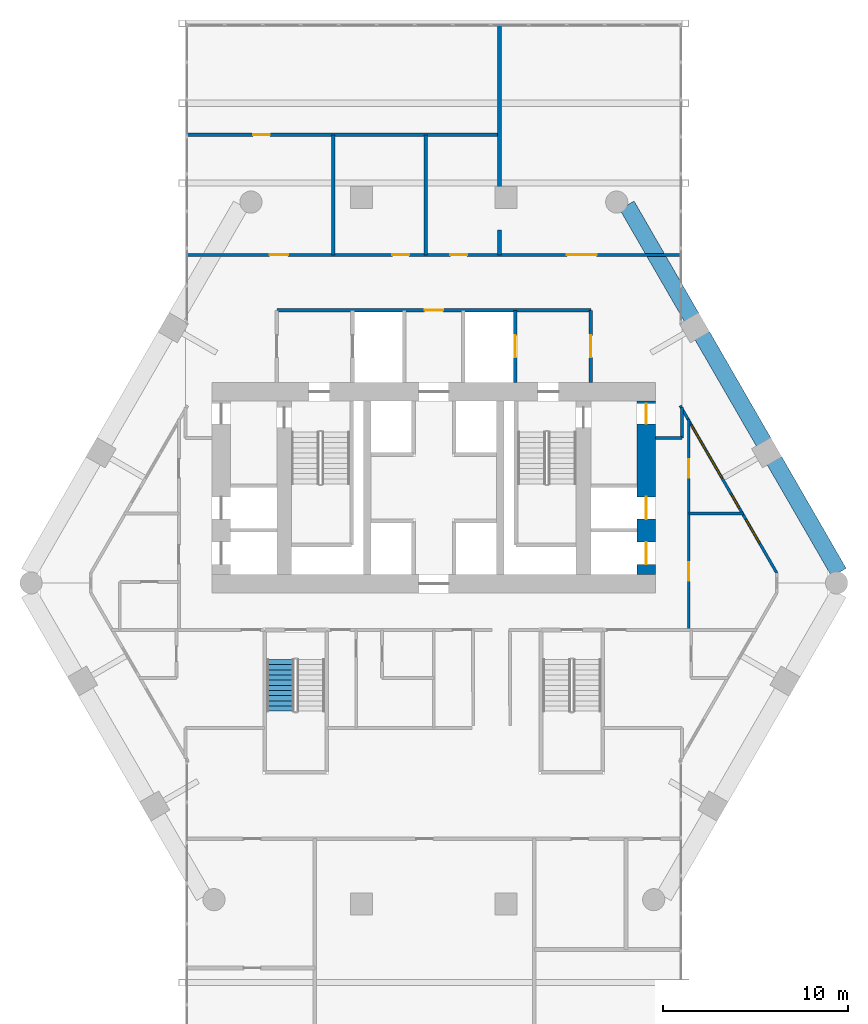
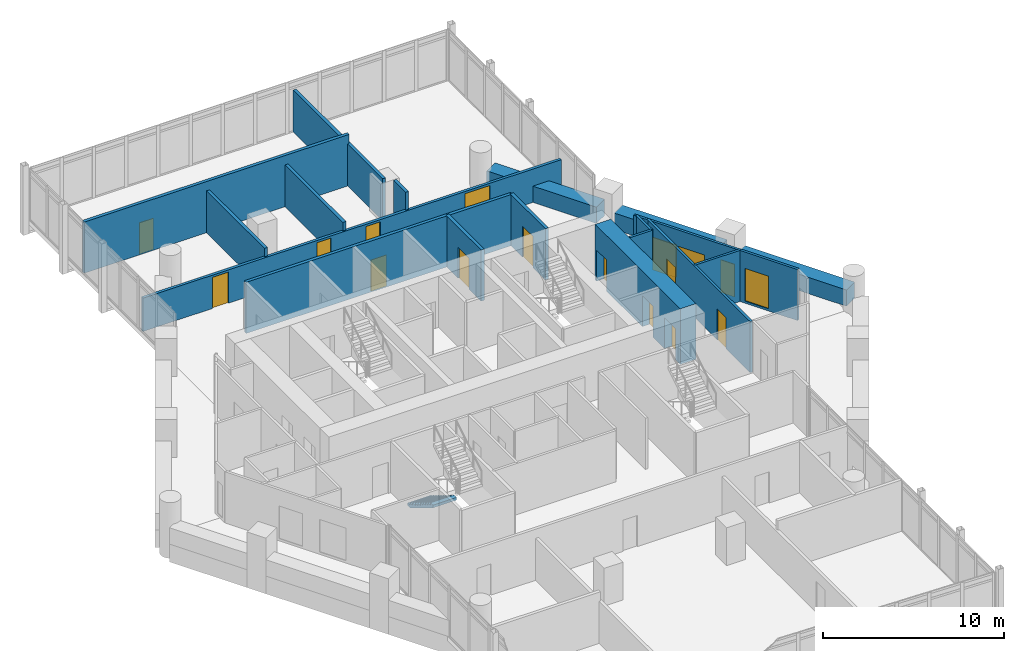
# One storey, part 26 of 28: 18 walls, 13 doors, 4 windows, 1 stair flight, 17 openings, 1 element without a shape of its own.
"""IFC4 building model written with IfcOpenShell, lengths in metres."""

from ifc_helpers import new_model, si_unit, direction, frame, frame_2d, origin, place, context, subcontext, project, spatial, polyline, rectangle, outline, extrude, material, layer, layer_set, type_object, element, fill, aggregate, save


model = new_model("IFC4")

# Units and contexts
model_context = context("Model", 3, precision=1e-05, world=origin(), true_north=direction((0.0, 1.0)))
body_context = subcontext(model_context, "Body", "Model", "MODEL_VIEW")
ifc_project = project(units=[si_unit("LENGTHUNIT", "METRE"), si_unit("AREAUNIT", "SQUARE_METRE"), si_unit("VOLUMEUNIT", "CUBIC_METRE"), si_unit("PLANEANGLEUNIT", "RADIAN"), si_unit("MASSUNIT", "GRAM", prefix="KILO")], contexts=[model_context])

# Site, building, storey
site_placement = place(None, origin())
site = spatial("IfcSite", under=ifc_project, at=site_placement, CompositionType="ELEMENT")
building_placement = place(site_placement, origin())
building = spatial("IfcBuilding", under=site, at=building_placement, Name="Ostrander Bayou Hotel Tower", CompositionType="ELEMENT")
storey_placement = place(building_placement, frame((0.0, 0.0, 142.25)))
storey = spatial("IfcBuildingStorey", under=building, at=storey_placement, Name="L35", CompositionType="ELEMENT", Elevation=142.25)

# Wall, openings, doors
ifc_material_1 = material(Name="Concrete f'c 70 MPa", Category="concrete")
ifc_layer_1 = layer(ifc_material_1, 1.0)
ifc_layer_set_1 = layer_set([ifc_layer_1], Name="CW4 core wall 1000 mm f'c 70 MPa")
wall_type_1 = type_object("IfcWallType", Name="CW4 core wall 1000 mm f'c 70 MPa", PredefinedType="SHEAR", material=ifc_layer_set_1)
wall_1_placement = place(storey_placement, frame((11.5, -0.699951171875, -0.300048828125), z_axis=(0.0, 0.0, 1.0), x_axis=(0.0, 1.0, 0.0)))
wall_1 = element("IfcWall", 1, at=wall_1_placement, inside=storey, type_object=wall_type_1, Name="CW4 L35 RE", PredefinedType="SHEAR", context=body_context, shape_type="SweptSolid", body=[
    extrude(rectangle(XDim=9.39990234375, YDim=1.0, at=frame_2d((4.699951171875, 0.0))), origin(), (0.0, 0.0, 1.0), 3.75),
])
opening_1_placement = place(wall_1_placement, frame((8.14990234375, 0.0, 0.0)))
opening_1 = element("IfcOpeningElement", 2, at=opening_1_placement, cuts=wall_1, Name="Opening T34-017", PredefinedType="OPENING", context=body_context, shape_type="SweptSolid", body=[
    extrude(rectangle(XDim=1.10009765625, YDim=2.10009765625, at=frame_2d((0.550048828125, 1.050048828125))), frame((0.0, 0.5, 0.0), z_axis=(0.0, -1.0, 0.0), x_axis=(1.0, 0.0, 0.0)), (0.0, 0.0, 1.0), 1.0),
])
opening_2_placement = place(wall_1_placement, frame((0.550048828125, 0.0, 0.0)))
opening_2 = element("IfcOpeningElement", 3, at=opening_2_placement, cuts=wall_1, Name="Opening T34-018", PredefinedType="OPENING", context=body_context, shape_type="SweptSolid", body=[
    extrude(rectangle(XDim=1.199951171875, YDim=2.10009765625, at=frame_2d((0.60009765625, 1.050048828125))), frame((0.0, 0.5, 0.0), z_axis=(0.0, -1.0, 0.0), x_axis=(1.0, 0.0, 0.0)), (0.0, 0.0, 1.0), 1.0),
])
opening_3_placement = place(wall_1_placement, frame((3.0, 0.0, 0.0)))
opening_3 = element("IfcOpeningElement", 4, at=opening_3_placement, cuts=wall_1, Name="Opening T34-019", PredefinedType="OPENING", context=body_context, shape_type="SweptSolid", body=[
    extrude(rectangle(XDim=1.199951171875, YDim=2.10009765625, at=frame_2d((0.60009765625, 1.050048828125))), frame((0.0, 0.5, 0.0), z_axis=(0.0, -1.0, 0.0), x_axis=(1.0, 0.0, 0.0)), (0.0, 0.0, 1.0), 1.0),
])
ifc_material_2 = material(Name="Timber door leaf", Category="wood")
door_type_1 = type_object("IfcDoorType", Name="D5 stair door 1100 x 2100 mm, 90 minute", OperationType="SINGLE_SWING_LEFT", PredefinedType="DOOR", material=ifc_material_2)
door_1_placement = place(opening_1_placement, origin())
door_1 = element("IfcDoor", 5, at=door_1_placement, inside=storey, type_object=door_type_1, Name="dr:L35:017", OperationType="SINGLE_SWING_RIGHT", OverallHeight=2.10009765625, OverallWidth=1.10009765625, PredefinedType="DOOR", context=body_context, shape_type="SweptSolid", body=[
    extrude(rectangle(XDim=1.10009765625, YDim=2.10009765625, at=frame_2d((0.550048828125, 1.050048828125))), frame((0.0, 0.02490234375, 0.0), z_axis=(0.0, -1.0, 0.0), x_axis=(1.0, 0.0, 0.0)), (0.0, 0.0, 1.0), 0.050048828125),
])
fill(opening_1, door_1)
ifc_material_3 = material(Name="Stainless steel sliding door", Category="steel")
door_type_2 = type_object("IfcDoorType", Name="LD1 lift landing door 1200 x 2100 mm", OperationType="SINGLE_SWING_LEFT", PredefinedType="DOOR", material=ifc_material_3)
door_2_placement = place(opening_2_placement, origin())
door_2 = element("IfcDoor", 6, at=door_2_placement, inside=storey, type_object=door_type_2, Name="dr:L35:018", OperationType="SLIDING_TO_LEFT", OverallHeight=2.10009765625, OverallWidth=1.199951171875, PredefinedType="DOOR", context=body_context, shape_type="SweptSolid", body=[
    extrude(rectangle(XDim=1.199951171875, YDim=2.10009765625, at=frame_2d((0.60009765625, 1.050048828125))), frame((0.0, 0.02490234375, 0.0), z_axis=(0.0, -1.0, 0.0), x_axis=(1.0, 0.0, 0.0)), (0.0, 0.0, 1.0), 0.050048828125),
])
fill(opening_2, door_2)
door_3_placement = place(opening_3_placement, origin())
door_3 = element("IfcDoor", 7, at=door_3_placement, inside=storey, type_object=door_type_2, Name="dr:L35:019", OperationType="SLIDING_TO_LEFT", OverallHeight=2.10009765625, OverallWidth=1.199951171875, PredefinedType="DOOR", context=body_context, shape_type="SweptSolid", body=[
    extrude(rectangle(XDim=1.199951171875, YDim=2.10009765625, at=frame_2d((0.60009765625, 1.050048828125))), frame((0.0, 0.02490234375, 0.0), z_axis=(0.0, -1.0, 0.0), x_axis=(1.0, 0.0, 0.0)), (0.0, 0.0, 1.0), 0.050048828125),
])
fill(opening_3, door_3)

# Wall, openings, windows
ifc_material_4 = material(Name="Aluminium framed insulated wall", Category="aluminium")
ifc_layer_2 = layer(ifc_material_4, 0.14990234375)
ifc_layer_set_2 = layer_set([ifc_layer_2], Name="GW1 glass-line wall 150 mm")
wall_type_2 = type_object("IfcWallType", Name="GW1 glass-line wall 150 mm", PredefinedType="SOLIDWALL", material=ifc_layer_set_2)
wall_2_placement = place(storey_placement, frame((18.568115234375, -0.6240234375, 0.0), z_axis=(0.0, 0.0, 1.0), x_axis=(-0.499994317138, 0.866028684761, 0.0)))
wall_2 = element("IfcWall", 8, at=wall_2_placement, inside=storey, type_object=wall_type_2, Name="GW1 L35 NE 1", PredefinedType="SOLIDWALL", context=body_context, shape_type="SweptSolid", body=[
    extrude(rectangle(XDim=10.46826171875, YDim=0.14990234375, at=frame_2d((5.234130859375, 0.0))), origin(), (0.0, 0.0, 1.0), 3.449951171875),
])
opening_4_placement = place(wall_2_placement, frame((4.046630859375, 0.0, 0.14990234375)))
opening_4 = element("IfcOpeningElement", 9, at=opening_4_placement, cuts=wall_2, Name="Opening W16", PredefinedType="OPENING", context=body_context, shape_type="SweptSolid", body=[
    extrude(rectangle(XDim=0.89990234375, YDim=2.199951171875, at=frame_2d((0.449951171875, 1.10009765625))), frame((0.0, 0.074951171875, 0.0), z_axis=(0.0, -1.0, 0.0), x_axis=(1.0, 0.0, 0.0)), (0.0, 0.0, 1.0), 0.14990234375),
])
opening_5_placement = place(wall_2_placement, frame((1.8466796875, 0.0, 0.14990234375)))
opening_5 = element("IfcOpeningElement", 10, at=opening_5_placement, cuts=wall_2, Name="Opening W12", PredefinedType="OPENING", context=body_context, shape_type="SweptSolid", body=[
    extrude(rectangle(XDim=1.5, YDim=2.199951171875, at=frame_2d((0.75, 1.10009765625))), frame((0.0, 0.074951171875, 0.0), z_axis=(0.0, -1.0, 0.0), x_axis=(1.0, 0.0, 0.0)), (0.0, 0.0, 1.0), 0.14990234375),
])
opening_6_placement = place(wall_2_placement, frame((5.924560546875, 0.0, 0.14990234375)))
opening_6 = element("IfcOpeningElement", 11, at=opening_6_placement, cuts=wall_2, Name="Opening W8", PredefinedType="OPENING", context=body_context, shape_type="SweptSolid", body=[
    extrude(rectangle(XDim=1.699951171875, YDim=2.199951171875, at=frame_2d((0.85009765625, 1.10009765625))), frame((0.0, 0.074951171875, 0.0), z_axis=(0.0, -1.0, 0.0), x_axis=(1.0, 0.0, 0.0)), (0.0, 0.0, 1.0), 0.14990234375),
])
opening_7_placement = place(wall_2_placement, frame((7.764404296875, 0.0, 0.14990234375)))
opening_7 = element("IfcOpeningElement", 12, at=opening_7_placement, cuts=wall_2, Name="Opening W12", PredefinedType="OPENING", context=body_context, shape_type="SweptSolid", body=[
    extrude(rectangle(XDim=1.5, YDim=2.199951171875, at=frame_2d((0.75, 1.10009765625))), frame((0.0, 0.074951171875, 0.0), z_axis=(0.0, -1.0, 0.0), x_axis=(1.0, 0.0, 0.0)), (0.0, 0.0, 1.0), 0.14990234375),
])
ifc_material_5 = material(Name="Aluminium and clear glass", Category="aluminium")
window_type_1 = type_object("IfcWindowType", Name="W12 fixed window 1500 mm, bath bay, zone 2", PartitioningType="SINGLE_PANEL", PredefinedType="WINDOW", material=ifc_material_5)
window_1_placement = place(opening_5_placement, origin())
window_1 = element("IfcWindow", 13, at=window_1_placement, inside=storey, type_object=window_type_1, Name="W12 L35 NE 1", OverallHeight=2.199951171875, OverallWidth=1.5, PartitioningType="SINGLE_PANEL", PredefinedType="WINDOW", context=body_context, shape_type="SweptSolid", body=[
    extrude(rectangle(XDim=1.5, YDim=2.199951171875, at=frame_2d((0.75, 1.10009765625))), frame((0.0, 0.030029296875, 0.0), z_axis=(0.0, -1.0, 0.0), x_axis=(1.0, 0.0, 0.0)), (0.0, 0.0, 1.0), 0.06005859375),
])
fill(opening_5, window_1)
window_2_placement = place(opening_7_placement, origin())
window_2 = element("IfcWindow", 14, at=window_2_placement, inside=storey, type_object=window_type_1, Name="W12 L35 NE 2", OverallHeight=2.199951171875, OverallWidth=1.5, PartitioningType="SINGLE_PANEL", PredefinedType="WINDOW", context=body_context, shape_type="SweptSolid", body=[
    extrude(rectangle(XDim=1.5, YDim=2.199951171875, at=frame_2d((0.75, 1.10009765625))), frame((0.0, 0.030029296875, 0.0), z_axis=(0.0, -1.0, 0.0), x_axis=(1.0, 0.0, 0.0)), (0.0, 0.0, 1.0), 0.06005859375),
])
fill(opening_7, window_2)
ifc_material_6 = material(Name="Aluminium and clear glass", Category="aluminium")
window_type_2 = type_object("IfcWindowType", Name="W16 window 900 mm, zone 2", PartitioningType="SINGLE_PANEL", PredefinedType="WINDOW", material=ifc_material_6)
window_3_placement = place(opening_4_placement, origin())
window_3 = element("IfcWindow", 15, at=window_3_placement, inside=storey, type_object=window_type_2, Name="W16 L35 NE 1", OverallHeight=2.199951171875, OverallWidth=0.89990234375, PartitioningType="SINGLE_PANEL", PredefinedType="WINDOW", context=body_context, shape_type="SweptSolid", body=[
    extrude(rectangle(XDim=0.89990234375, YDim=2.199951171875, at=frame_2d((0.449951171875, 1.10009765625))), frame((0.0, 0.030029296875, 0.0), z_axis=(0.0, -1.0, 0.0), x_axis=(1.0, 0.0, 0.0)), (0.0, 0.0, 1.0), 0.06005859375),
])
fill(opening_4, window_3)
ifc_material_7 = material(Name="Aluminium and clear glass", Category="aluminium")
window_type_3 = type_object("IfcWindowType", Name="W8 fixed window 1700 mm, bar storeys, zone 2", PartitioningType="SINGLE_PANEL", PredefinedType="WINDOW", material=ifc_material_7)
window_4_placement = place(opening_6_placement, origin())
window_4 = element("IfcWindow", 16, at=window_4_placement, inside=storey, type_object=window_type_3, Name="W8 L35 NE 2", OverallHeight=2.199951171875, OverallWidth=1.699951171875, PartitioningType="SINGLE_PANEL", PredefinedType="WINDOW", context=body_context, shape_type="SweptSolid", body=[
    extrude(rectangle(XDim=1.699951171875, YDim=2.199951171875, at=frame_2d((0.85009765625, 1.10009765625))), frame((0.0, 0.030029296875, 0.0), z_axis=(0.0, -1.0, 0.0), x_axis=(1.0, 0.0, 0.0)), (0.0, 0.0, 1.0), 0.06005859375),
])
fill(opening_6, window_4)

# Walls
ifc_material_8 = material(Name="Concrete f'c 40 MPa", Category="concrete")
ifc_layer_3 = layer(ifc_material_8, 0.89990234375)
ifc_layer_set_3 = layer_set([ifc_layer_3], Name="PA1 stone-faced parapet 900 mm")
wall_type_3 = type_object("IfcWallType", Name="PA1 stone-faced parapet 900 mm", PredefinedType="PARAPET", material=ifc_layer_set_3)
wall_3_placement = place(storey_placement, frame((21.927734375, -0.593017578125, 0.0), z_axis=(0.0, 0.0, 1.0), x_axis=(-0.499991127072, 0.866030526511, 0.0)))
element("IfcWall", 17, at=wall_3_placement, inside=storey, type_object=wall_type_3, Name="PA1 L35 NE-1", PredefinedType="PARAPET", context=body_context, shape_type="SweptSolid", body=[
    extrude(rectangle(XDim=7.000732421875, YDim=0.89990234375, at=frame_2d((3.50048828125, 0.0))), origin(), (0.0, 0.0, 1.0), 1.10009765625),
])
wall_4_placement = place(storey_placement, frame((17.857421875, 6.45703125, 0.0), z_axis=(0.0, 0.0, 1.0), x_axis=(-0.499983182885, 0.866035112932, 0.0)))
element("IfcWall", 18, at=wall_4_placement, inside=storey, type_object=wall_type_3, Name="PA1 L35 NE-2", PredefinedType="PARAPET", context=body_context, shape_type="SweptSolid", body=[
    extrude(rectangle(XDim=6.673583984375, YDim=0.89990234375, at=frame_2d((3.3369140625, 0.0))), origin(), (0.0, 0.0, 1.0), 1.10009765625),
])
wall_5_placement = place(storey_placement, frame((13.95068359375, 13.2236328125, 0.0), z_axis=(0.0, 0.0, 1.0), x_axis=(-0.499991127072, 0.866030526511, 0.0)))
element("IfcWall", 19, at=wall_5_placement, inside=storey, type_object=wall_type_3, Name="PA1 L35 NE-3", PredefinedType="PARAPET", context=body_context, shape_type="SweptSolid", body=[
    extrude(rectangle(XDim=7.000732421875, YDim=0.89990234375, at=frame_2d((3.50048828125, 0.0))), origin(), (0.0, 0.0, 1.0), 1.10009765625),
])

# Wall, opening, door
ifc_material_9 = material(Name="Gypsum board partition", Category="finish")
ifc_layer_4 = layer(ifc_material_9, 0.199951171875)
ifc_layer_set_4 = layer_set([ifc_layer_4], Name="PT3 demising wall 200 mm acoustic double stud, 1 hour")
wall_type_4 = type_object("IfcWallType", Name="PT3 demising wall 200 mm acoustic double stud, 1 hour", PredefinedType="PARTITIONING", material=ifc_layer_set_4)
wall_6_placement = place(storey_placement, frame((-13.34814453125, 23.10009765625, 0.0), z_axis=(0.0, 0.0, 1.0), x_axis=(1.0, 0.0, 0.0)))
wall_6 = element("IfcWall", 20, at=wall_6_placement, inside=storey, type_object=wall_type_4, Name="sw:L35:504", PredefinedType="PARTITIONING", context=body_context, shape_type="SweptSolid", body=[
    extrude(rectangle(XDim=16.906005859375, YDim=0.199951171875, at=frame_2d((8.453125, 0.0))), origin(), (0.0, 0.0, 1.0), 3.449951171875),
])
opening_8_placement = place(wall_6_placement, frame((3.571044921875, 0.0, 0.0)))
opening_8 = element("IfcOpeningElement", 21, at=opening_8_placement, cuts=wall_6, Name="Opening T34-1210", PredefinedType="OPENING", context=body_context, shape_type="SweptSolid", body=[
    extrude(rectangle(XDim=0.89990234375, YDim=2.10009765625, at=frame_2d((0.449951171875, 1.050048828125))), frame((0.0, 0.10009765625, 0.0), z_axis=(0.0, -1.0, 0.0), x_axis=(1.0, 0.0, 0.0)), (0.0, 0.0, 1.0), 0.199951171875),
])
ifc_material_10 = material(Name="Timber door leaf", Category="wood")
door_type_3 = type_object("IfcDoorType", Name="D8 room door 900 x 2100 mm", OperationType="SINGLE_SWING_LEFT", PredefinedType="DOOR", material=ifc_material_10)
door_4_placement = place(opening_8_placement, origin())
door_4 = element("IfcDoor", 22, at=door_4_placement, inside=storey, type_object=door_type_3, Name="dr:L35:1210", OperationType="SINGLE_SWING_RIGHT", OverallHeight=2.10009765625, OverallWidth=0.89990234375, PredefinedType="DOOR", context=body_context, shape_type="SweptSolid", body=[
    extrude(rectangle(XDim=0.89990234375, YDim=2.10009765625, at=frame_2d((0.449951171875, 1.050048828125))), frame((0.0, 0.02490234375, 0.0), z_axis=(0.0, -1.0, 0.0), x_axis=(1.0, 0.0, 0.0)), (0.0, 0.0, 1.0), 0.050048828125),
])
fill(opening_8, door_4)

# Walls
for number, where, z_axis, x_axis, name in (
    (23, (-5.44189453125, 16.60009765625, 0.0), (0.0, 0.0, 1.0), (0.0, 1.0, 0.0), "sw:L35:506"),
    (24, (-0.44189453125, 16.60009765625, 0.0), (0.0, 0.0, 1.0), (0.0, 1.0, 0.0), "sw:L35:507"),
):
    element("IfcWall", number, at=place(storey_placement, frame(where, z_axis=z_axis, x_axis=x_axis)), inside=storey, type_object=wall_type_4, Name=name, PredefinedType="PARTITIONING", context=body_context, shape_type="SweptSolid", body=[
        extrude(rectangle(XDim=6.5, YDim=0.199951171875, at=frame_2d((3.25, 0.0))), origin(), (0.0, 0.0, 1.0), 2.828125),
    ])
wall_7_placement = place(storey_placement, frame((3.55810546875, 16.60009765625, 0.0), z_axis=(0.0, 0.0, 1.0), x_axis=(0.0, 1.0, 0.0)))
element("IfcWall", 25, at=wall_7_placement, inside=storey, type_object=wall_type_4, Name="sw:L35:508", PredefinedType="PARTITIONING", context=body_context, shape_type="SweptSolid", body=[
    extrude(rectangle(XDim=1.347900390625, YDim=0.199951171875, at=frame_2d((0.673828125, 0.0))), origin(), (0.0, 0.0, 1.0), 3.449951171875),
])
wall_8_placement = place(storey_placement, frame((3.55810546875, 19.13916015625, 0.0), z_axis=(0.0, 0.0, 1.0), x_axis=(0.0, 1.0, 0.0)))
element("IfcWall", 26, at=wall_8_placement, inside=storey, type_object=wall_type_4, Name="sw:L35:509", PredefinedType="PARTITIONING", context=body_context, shape_type="SweptSolid", body=[
    extrude(rectangle(XDim=9.87890625, YDim=0.199951171875, at=frame_2d((4.939453125, 0.0))), origin(), (0.0, 0.0, 1.0), 2.828125),
])

# Wall, openings, doors
ifc_material_11 = material(Name="Gypsum board partition", Category="finish")
ifc_layer_5 = layer(ifc_material_11, 0.175048828125)
ifc_layer_set_5 = layer_set([ifc_layer_5], Name="PT4 corridor wall 175 mm, 1 hour")
wall_type_5 = type_object("IfcWallType", Name="PT4 corridor wall 175 mm, 1 hour", PredefinedType="PARTITIONING", material=ifc_layer_set_5)
wall_9_placement = place(storey_placement, frame((-13.34814453125, 16.60009765625, 0.0), z_axis=(0.0, 0.0, 1.0), x_axis=(1.0, 0.0, 0.0)))
wall_9 = element("IfcWall", 27, at=wall_9_placement, inside=storey, type_object=wall_type_5, Name="sw:L35:501", PredefinedType="PARTITIONING", context=body_context, shape_type="SweptSolid", body=[
    extrude(rectangle(XDim=26.6962890625, YDim=0.175048828125, at=frame_2d((13.34814453125, 0.0))), origin(), (0.0, 0.0, 1.0), 2.25),
])
opening_9_placement = place(wall_9_placement, frame((4.45556640625, 0.0, 0.0)))
opening_9 = element("IfcOpeningElement", 28, at=opening_9_placement, cuts=wall_9, Name="Opening T34-1206", PredefinedType="OPENING", context=body_context, shape_type="SweptSolid", body=[
    extrude(rectangle(XDim=1.0, YDim=2.10009765625, at=frame_2d((0.5, 1.050048828125))), frame((0.0, 0.08740234375, 0.0), z_axis=(0.0, -1.0, 0.0), x_axis=(1.0, 0.0, 0.0)), (0.0, 0.0, 1.0), 0.175048828125),
])
opening_10_placement = place(wall_9_placement, frame((11.106689453125, 0.0, 0.0)))
opening_10 = element("IfcOpeningElement", 29, at=opening_10_placement, cuts=wall_9, Name="Opening T34-1207", PredefinedType="OPENING", context=body_context, shape_type="SweptSolid", body=[
    extrude(rectangle(XDim=0.89990234375, YDim=2.10009765625, at=frame_2d((0.449951171875, 1.050048828125))), frame((0.0, 0.08740234375, 0.0), z_axis=(0.0, -1.0, 0.0), x_axis=(1.0, 0.0, 0.0)), (0.0, 0.0, 1.0), 0.175048828125),
])
opening_11_placement = place(wall_9_placement, frame((14.24755859375, 0.0, 0.0)))
opening_11 = element("IfcOpeningElement", 30, at=opening_11_placement, cuts=wall_9, Name="Opening T34-1208", PredefinedType="OPENING", context=body_context, shape_type="SweptSolid", body=[
    extrude(rectangle(XDim=0.89990234375, YDim=2.10009765625, at=frame_2d((0.449951171875, 1.050048828125))), frame((0.0, 0.08740234375, 0.0), z_axis=(0.0, -1.0, 0.0), x_axis=(1.0, 0.0, 0.0)), (0.0, 0.0, 1.0), 0.175048828125),
])
opening_12_placement = place(wall_9_placement, frame((20.55615234375, 0.0, 0.0)))
opening_12 = element("IfcOpeningElement", 31, at=opening_12_placement, cuts=wall_9, Name="Opening T34-1209", PredefinedType="OPENING", context=body_context, shape_type="SweptSolid", body=[
    extrude(rectangle(XDim=1.60009765625, YDim=2.10009765625, at=frame_2d((0.800048828125, 1.050048828125))), frame((0.0, 0.08740234375, 0.0), z_axis=(0.0, -1.0, 0.0), x_axis=(1.0, 0.0, 0.0)), (0.0, 0.0, 1.0), 0.175048828125),
])
ifc_material_12 = material(Name="Timber door leaf", Category="wood")
door_type_4 = type_object("IfcDoorType", Name="D13 double door 1600 x 2100 mm, 1 hour", OperationType="SINGLE_SWING_LEFT", PredefinedType="DOOR", material=ifc_material_12)
door_5_placement = place(opening_12_placement, origin())
door_5 = element("IfcDoor", 32, at=door_5_placement, inside=storey, type_object=door_type_4, Name="dr:L35:1209", OperationType="DOUBLE_DOOR_SINGLE_SWING", OverallHeight=2.10009765625, OverallWidth=1.60009765625, PredefinedType="DOOR", context=body_context, shape_type="SweptSolid", body=[
    extrude(rectangle(XDim=1.60009765625, YDim=2.10009765625, at=frame_2d((0.800048828125, 1.050048828125))), frame((0.0, 0.02490234375, 0.0), z_axis=(0.0, -1.0, 0.0), x_axis=(1.0, 0.0, 0.0)), (0.0, 0.0, 1.0), 0.050048828125),
])
fill(opening_12, door_5)
door_6_placement = place(opening_10_placement, origin())
door_6 = element("IfcDoor", 33, at=door_6_placement, inside=storey, type_object=door_type_3, Name="dr:L35:1207", OperationType="SINGLE_SWING_LEFT", OverallHeight=2.10009765625, OverallWidth=0.89990234375, PredefinedType="DOOR", context=body_context, shape_type="SweptSolid", body=[
    extrude(rectangle(XDim=0.89990234375, YDim=2.10009765625, at=frame_2d((0.449951171875, 1.050048828125))), frame((0.0, 0.02490234375, 0.0), z_axis=(0.0, -1.0, 0.0), x_axis=(1.0, 0.0, 0.0)), (0.0, 0.0, 1.0), 0.050048828125),
])
fill(opening_10, door_6)
door_7_placement = place(opening_11_placement, origin())
door_7 = element("IfcDoor", 34, at=door_7_placement, inside=storey, type_object=door_type_3, Name="dr:L35:1208", OperationType="SINGLE_SWING_RIGHT", OverallHeight=2.10009765625, OverallWidth=0.89990234375, PredefinedType="DOOR", context=body_context, shape_type="SweptSolid", body=[
    extrude(rectangle(XDim=0.89990234375, YDim=2.10009765625, at=frame_2d((0.449951171875, 1.050048828125))), frame((0.0, 0.02490234375, 0.0), z_axis=(0.0, -1.0, 0.0), x_axis=(1.0, 0.0, 0.0)), (0.0, 0.0, 1.0), 0.050048828125),
])
fill(opening_11, door_7)
ifc_material_13 = material(Name="Timber door leaf", Category="wood")
door_type_5 = type_object("IfcDoorType", Name="D9 service door 1000 x 2100 mm, 30 minute", OperationType="SINGLE_SWING_LEFT", PredefinedType="DOOR", material=ifc_material_13)
door_8_placement = place(opening_9_placement, origin())
door_8 = element("IfcDoor", 35, at=door_8_placement, inside=storey, type_object=door_type_5, Name="dr:L35:1206", OperationType="SINGLE_SWING_RIGHT", OverallHeight=2.10009765625, OverallWidth=1.0, PredefinedType="DOOR", context=body_context, shape_type="SweptSolid", body=[
    extrude(rectangle(XDim=1.0, YDim=2.10009765625, at=frame_2d((0.5, 1.050048828125))), frame((0.0, 0.02490234375, 0.0), z_axis=(0.0, -1.0, 0.0), x_axis=(1.0, 0.0, 0.0)), (0.0, 0.0, 1.0), 0.050048828125),
])
fill(opening_9, door_8)

# Wall, opening, door
ifc_material_14 = material(Name="Masonry block", Category="masonry")
ifc_layer_6 = layer(ifc_material_14, 0.199951171875)
ifc_layer_set_6 = layer_set([ifc_layer_6], Name="PT5 stair enclosure wall 200 mm masonry, 2 hour")
wall_type_6 = type_object("IfcWallType", Name="PT5 stair enclosure wall 200 mm masonry, 2 hour", PredefinedType="PARTITIONING", material=ifc_layer_set_6)
wall_10_placement = place(storey_placement, frame((-8.5, 13.60009765625, 0.0), z_axis=(0.0, 0.0, 1.0), x_axis=(1.0, 0.0, 0.0)))
wall_10 = element("IfcWall", 36, at=wall_10_placement, inside=storey, type_object=wall_type_6, Name="cs:L35:021", PredefinedType="PARTITIONING", context=body_context, shape_type="SweptSolid", body=[
    extrude(rectangle(XDim=17.0, YDim=0.199951171875, at=frame_2d((8.5, 0.0))), origin(), (0.0, 0.0, 1.0), 3.449951171875),
])
opening_13_placement = place(wall_10_placement, frame((8.0, 0.0, 0.0)))
opening_13 = element("IfcOpeningElement", 37, at=opening_13_placement, cuts=wall_10, Name="Opening T34-013", PredefinedType="OPENING", context=body_context, shape_type="SweptSolid", body=[
    extrude(rectangle(XDim=1.0, YDim=2.10009765625, at=frame_2d((0.5, 1.050048828125))), frame((0.0, 0.10009765625, 0.0), z_axis=(0.0, -1.0, 0.0), x_axis=(1.0, 0.0, 0.0)), (0.0, 0.0, 1.0), 0.199951171875),
])
door_9_placement = place(opening_13_placement, origin())
door_9 = element("IfcDoor", 38, at=door_9_placement, inside=storey, type_object=door_type_5, Name="dr:L35:013", OperationType="SINGLE_SWING_LEFT", OverallHeight=2.10009765625, OverallWidth=1.0, PredefinedType="DOOR", context=body_context, shape_type="SweptSolid", body=[
    extrude(rectangle(XDim=1.0, YDim=2.10009765625, at=frame_2d((0.5, 1.050048828125))), frame((0.0, 0.02490234375, 0.0), z_axis=(0.0, -1.0, 0.0), x_axis=(1.0, 0.0, 0.0)), (0.0, 0.0, 1.0), 0.050048828125),
])
fill(opening_13, door_9)

wall_11_placement = place(storey_placement, frame((8.5, 9.699951171875, 0.0), z_axis=(0.0, 0.0, 1.0), x_axis=(0.0, 1.0, 0.0)))
wall_11 = element("IfcWall", 39, at=wall_11_placement, inside=storey, type_object=wall_type_6, Name="cs:L35:023", PredefinedType="PARTITIONING", context=body_context, shape_type="SweptSolid", body=[
    extrude(rectangle(XDim=3.900146484375, YDim=0.199951171875, at=frame_2d((1.9501953125, 0.0))), origin(), (0.0, 0.0, 1.0), 3.449951171875),
])
opening_14_placement = place(wall_11_placement, frame((1.35009765625, 0.0, 0.0)))
opening_14 = element("IfcOpeningElement", 40, at=opening_14_placement, cuts=wall_11, Name="Opening T34-012", PredefinedType="OPENING", context=body_context, shape_type="SweptSolid", body=[
    extrude(rectangle(XDim=1.199951171875, YDim=2.10009765625, at=frame_2d((0.60009765625, 1.050048828125))), frame((0.0, 0.10009765625, 0.0), z_axis=(0.0, -1.0, 0.0), x_axis=(1.0, 0.0, 0.0)), (0.0, 0.0, 1.0), 0.199951171875),
])
ifc_material_15 = material(Name="Timber door leaf", Category="wood")
door_type_6 = type_object("IfcDoorType", Name="D7 lobby door 1200 x 2100 mm, 1 hour", OperationType="SINGLE_SWING_LEFT", PredefinedType="DOOR", material=ifc_material_15)
door_10_placement = place(opening_14_placement, origin())
door_10 = element("IfcDoor", 41, at=door_10_placement, inside=storey, type_object=door_type_6, Name="dr:L35:012", OperationType="SINGLE_SWING_LEFT", OverallHeight=2.10009765625, OverallWidth=1.199951171875, PredefinedType="DOOR", context=body_context, shape_type="SweptSolid", body=[
    extrude(rectangle(XDim=1.199951171875, YDim=2.10009765625, at=frame_2d((0.60009765625, 1.050048828125))), frame((0.0, 0.02490234375, 0.0), z_axis=(0.0, -1.0, 0.0), x_axis=(1.0, 0.0, 0.0)), (0.0, 0.0, 1.0), 0.050048828125),
])
fill(opening_14, door_10)

wall_12_placement = place(storey_placement, frame((4.39990234375, 9.699951171875, 0.0), z_axis=(0.0, 0.0, 1.0), x_axis=(0.0, 1.0, 0.0)))
wall_12 = element("IfcWall", 42, at=wall_12_placement, inside=storey, type_object=wall_type_6, Name="cs:L35:025", PredefinedType="PARTITIONING", context=body_context, shape_type="SweptSolid", body=[
    extrude(rectangle(XDim=3.900146484375, YDim=0.199951171875, at=frame_2d((1.9501953125, 0.0))), origin(), (0.0, 0.0, 1.0), 3.449951171875),
])
opening_15_placement = place(wall_12_placement, frame((1.35009765625, 0.0, 0.0)))
opening_15 = element("IfcOpeningElement", 43, at=opening_15_placement, cuts=wall_12, Name="Opening T34-011", PredefinedType="OPENING", context=body_context, shape_type="SweptSolid", body=[
    extrude(rectangle(XDim=1.199951171875, YDim=2.10009765625, at=frame_2d((0.60009765625, 1.050048828125))), frame((0.0, 0.10009765625, 0.0), z_axis=(0.0, -1.0, 0.0), x_axis=(1.0, 0.0, 0.0)), (0.0, 0.0, 1.0), 0.199951171875),
])
door_11_placement = place(opening_15_placement, origin())
door_11 = element("IfcDoor", 44, at=door_11_placement, inside=storey, type_object=door_type_2, Name="dr:L35:011", OperationType="SLIDING_TO_LEFT", OverallHeight=2.10009765625, OverallWidth=1.199951171875, PredefinedType="DOOR", context=body_context, shape_type="SweptSolid", body=[
    extrude(rectangle(XDim=1.199951171875, YDim=2.10009765625, at=frame_2d((0.60009765625, 1.050048828125))), frame((0.0, 0.02490234375, 0.0), z_axis=(0.0, -1.0, 0.0), x_axis=(1.0, 0.0, 0.0)), (0.0, 0.0, 1.0), 0.050048828125),
])
fill(opening_15, door_11)

# Walls
ifc_material_16 = material(Name="Gypsum board partition", Category="finish")
ifc_layer_7 = layer(ifc_material_16, 0.14990234375)
ifc_layer_set_7 = layer_set([ifc_layer_7], Name="PT8 service band wall 150 mm, 1 hour")
wall_type_7 = type_object("IfcWallType", Name="PT8 service band wall 150 mm, 1 hour", PredefinedType="PARTITIONING", material=ifc_layer_set_7)
wall_13_placement = place(storey_placement, frame((13.800048828125, 2.60009765625, 0.0), z_axis=(0.0, 0.0, 1.0), x_axis=(1.0, 0.0, 0.0)))
element("IfcWall", 45, at=wall_13_placement, inside=storey, type_object=wall_type_7, Name="gw:L35:013", PredefinedType="PARTITIONING", context=body_context, shape_type="SweptSolid", body=[
    extrude(rectangle(XDim=2.958984375, YDim=0.14990234375, at=frame_2d((1.4794921875, 0.0))), origin(), (0.0, 0.0, 1.0), 3.449951171875),
])
wall_14_placement = place(storey_placement, frame((12.010009765625, 6.695068359375, 0.0), z_axis=(0.0, 0.0, 1.0), x_axis=(1.0, 0.0, 0.0)))
element("IfcWall", 46, at=wall_14_placement, inside=storey, type_object=wall_type_7, Name="gw:L35:015", PredefinedType="PARTITIONING", context=body_context, shape_type="SweptSolid", body=[
    extrude(rectangle(XDim=1.429931640625, YDim=0.14990234375, at=frame_2d((0.71484375, 0.0))), origin(), (0.0, 0.0, 1.0), 3.449951171875),
])

# Wall, openings, doors
wall_15_placement = place(storey_placement, frame((13.800048828125, -3.699951171875, 0.0), z_axis=(0.0, 0.0, 1.0), x_axis=(0.0, 1.0, 0.0)))
wall_15 = element("IfcWall", 47, at=wall_15_placement, inside=storey, type_object=wall_type_7, Name="gw:L35:017", PredefinedType="PARTITIONING", context=body_context, shape_type="SweptSolid", body=[
    extrude(rectangle(XDim=11.425048828125, YDim=0.14990234375, at=frame_2d((5.71240234375, 0.0))), origin(), (0.0, 0.0, 1.0), 3.449951171875),
])
opening_16_placement = place(wall_15_placement, frame((2.64990234375, 0.0, 0.0)))
opening_16 = element("IfcOpeningElement", 48, at=opening_16_placement, cuts=wall_15, Name="Opening T34-411", PredefinedType="OPENING", context=body_context, shape_type="SweptSolid", body=[
    extrude(rectangle(XDim=1.0, YDim=2.10009765625, at=frame_2d((0.5, 1.050048828125))), frame((0.0, 0.074951171875, 0.0), z_axis=(0.0, -1.0, 0.0), x_axis=(1.0, 0.0, 0.0)), (0.0, 0.0, 1.0), 0.14990234375),
])
opening_17_placement = place(wall_15_placement, frame((8.239990234375, 0.0, 0.0)))
opening_17 = element("IfcOpeningElement", 49, at=opening_17_placement, cuts=wall_15, Name="Opening T34-412", PredefinedType="OPENING", context=body_context, shape_type="SweptSolid", body=[
    extrude(rectangle(XDim=1.0, YDim=2.10009765625, at=frame_2d((0.5, 1.050048828125))), frame((0.0, 0.074951171875, 0.0), z_axis=(0.0, -1.0, 0.0), x_axis=(1.0, 0.0, 0.0)), (0.0, 0.0, 1.0), 0.14990234375),
])
ifc_material_17 = material(Name="Timber door leaf", Category="wood")
door_type_7 = type_object("IfcDoorType", Name="D15 room door 1000 x 2100 mm", OperationType="SINGLE_SWING_LEFT", PredefinedType="DOOR", material=ifc_material_17)
door_12_placement = place(opening_16_placement, origin())
door_12 = element("IfcDoor", 50, at=door_12_placement, inside=storey, type_object=door_type_7, Name="dr:L35:411", OperationType="SINGLE_SWING_RIGHT", OverallHeight=2.10009765625, OverallWidth=1.0, PredefinedType="DOOR", context=body_context, shape_type="SweptSolid", body=[
    extrude(rectangle(XDim=1.0, YDim=2.10009765625, at=frame_2d((0.5, 1.050048828125))), frame((0.0, 0.02490234375, 0.0), z_axis=(0.0, -1.0, 0.0), x_axis=(1.0, 0.0, 0.0)), (0.0, 0.0, 1.0), 0.050048828125),
])
fill(opening_16, door_12)
door_13_placement = place(opening_17_placement, origin())
door_13 = element("IfcDoor", 51, at=door_13_placement, inside=storey, type_object=door_type_5, Name="dr:L35:412", OperationType="SINGLE_SWING_LEFT", OverallHeight=2.10009765625, OverallWidth=1.0, PredefinedType="DOOR", context=body_context, shape_type="SweptSolid", body=[
    extrude(rectangle(XDim=1.0, YDim=2.10009765625, at=frame_2d((0.5, 1.050048828125))), frame((0.0, 0.02490234375, 0.0), z_axis=(0.0, -1.0, 0.0), x_axis=(1.0, 0.0, 0.0)), (0.0, 0.0, 1.0), 0.050048828125),
])
fill(opening_17, door_13)

# Wall
wall_16_placement = place(storey_placement, frame((13.43994140625, 6.695068359375, 0.0), z_axis=(0.0, 0.0, 1.0), x_axis=(0.0, 1.0, 0.0)))
element("IfcWall", 52, at=wall_16_placement, inside=storey, type_object=wall_type_7, Name="gw:L35:019", PredefinedType="PARTITIONING", context=body_context, shape_type="SweptSolid", body=[
    extrude(rectangle(XDim=1.65283203125, YDim=0.14990234375, at=frame_2d((0.826416015625, 0.0))), origin(), (0.0, 0.0, 1.0), 3.449951171875),
])

# Stair, stair flight
ifc_material_18 = material(Name="Concrete f'c 45 MPa", Category="concrete")
stair_type = type_object("IfcStairType", Name="ST1 exit stair 1500 mm f'c 45 MPa", PredefinedType="HALF_TURN_STAIR", material=ifc_material_18)
stair_placement = place(storey_placement, origin())
stair = element("IfcStair", 53, at=stair_placement, inside=storey, type_object=stair_type, Name="L35 exit stair D", PredefinedType="HALF_TURN_STAIR")
ifc_material_19 = material(Name="Concrete f'c 45 MPa", Category="concrete")
stair_flight_type = type_object("IfcStairFlightType", Name="SF1 stair flight 1500 mm f'c 45 MPa", PredefinedType="STRAIGHT", material=ifc_material_19)
stair_flight_placement = place(storey_placement, frame((-8.300048828125, -5.300048828125, 0.0), z_axis=(0.0, 0.0, 1.0), x_axis=(0.0, -1.0, 0.0)))
stair_flight = element("IfcStairFlight", 54, at=stair_flight_placement, type_object=stair_flight_type, Name="STD flight 1", NumberOfRisers=11, NumberOfTreads=10, PredefinedType="STRAIGHT", RiserHeight=0.170454545, TreadLength=0.28, context=body_context, shape_type="SweptSolid", body=[
    extrude(outline(polyline([(0.0, 0.0), (0.0, 0.17041015625), (0.280029296875, 0.17041015625), (0.280029296875, 0.3408203125), (0.56005859375, 0.3408203125), (0.56005859375, 0.511474609375), (0.840087890625, 0.511474609375), (0.840087890625, 0.681884765625), (1.1201171875, 0.681884765625), (1.1201171875, 0.852294921875), (1.39990234375, 0.852294921875), (1.39990234375, 1.022705078125), (1.679931640625, 1.022705078125), (1.679931640625, 1.193115234375), (1.9599609375, 1.193115234375), (1.9599609375, 1.363525390625), (2.239990234375, 1.363525390625), (2.239990234375, 1.5341796875), (2.52001953125, 1.5341796875), (2.52001953125, 1.70458984375), (2.800048828125, 1.70458984375), (2.800048828125, 1.875), (2.800048828125, 1.529052734375), (0.288330078125, 0.0), (0.0, 0.0)])), frame((0.0, 0.75, 0.0), z_axis=(0.0, -1.0, 0.0), x_axis=(1.0, 0.0, 0.0)), (0.0, 0.0, 1.0), 1.5),
])
aggregate(stair, [stair_flight])

save(model, "model.ifc")
